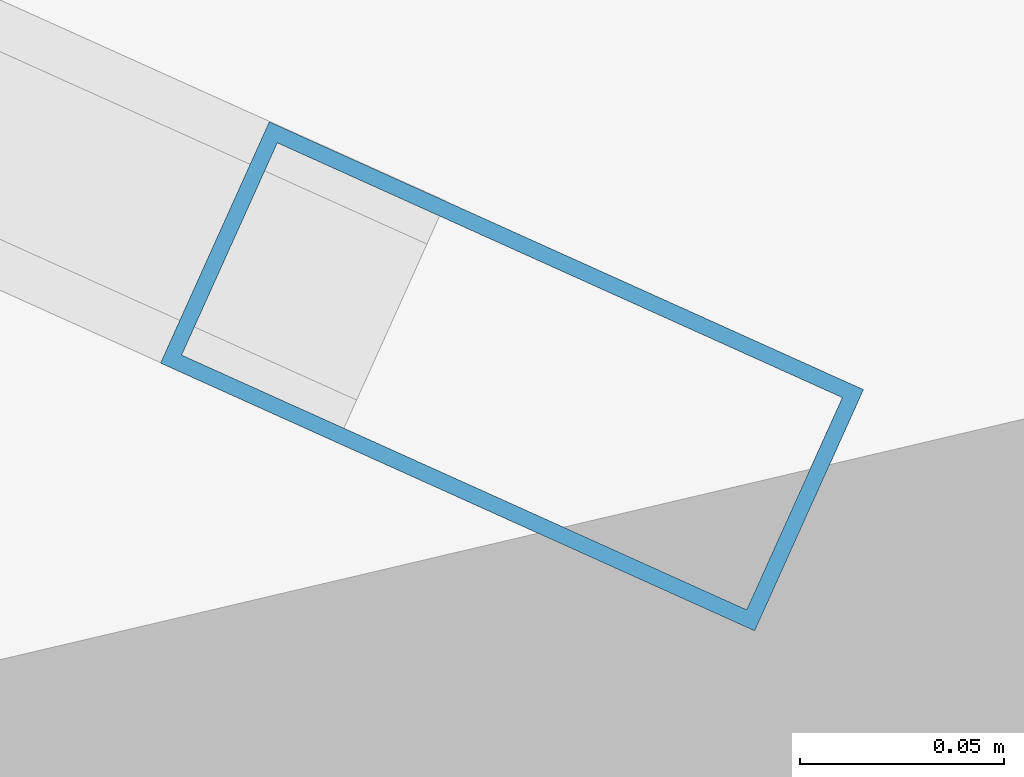
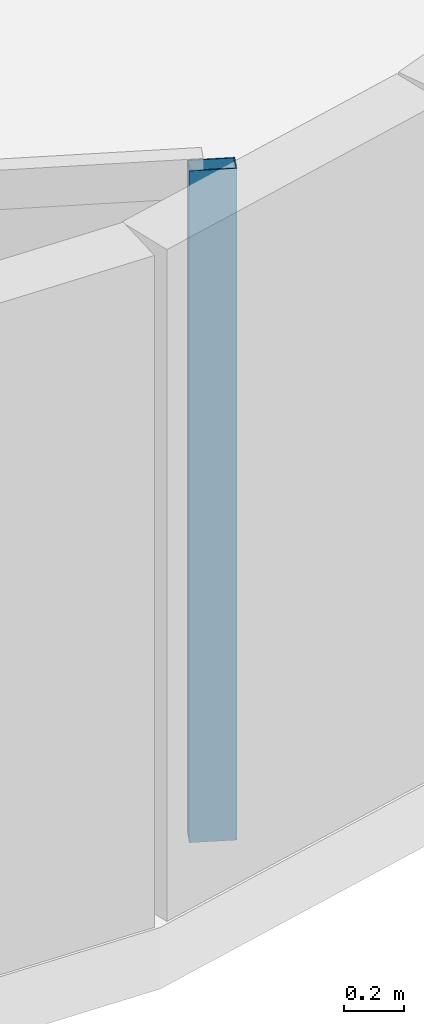
# One storey, part 5 of 24: 1 member, 1 element without a shape of its own.
"""IFC4 building model written with IfcOpenShell, lengths in metres."""

from ifc_helpers import new_model, si_unit, direction, frame, origin, origin_2d, place, context, subcontext, project, spatial, hollow_rectangle, extrude, material, layer, layer_set, material_profile, profile_set, type_object, element, aggregate, save


model = new_model("IFC4")

# Units and contexts
model_context = context("Model", 3, precision=1e-05, world=origin(), true_north=direction((0.0, 1.0)))
body_context = subcontext(model_context, "Body", "Model", "MODEL_VIEW")
ifc_project = project(units=[si_unit("LENGTHUNIT", "METRE"), si_unit("AREAUNIT", "SQUARE_METRE"), si_unit("VOLUMEUNIT", "CUBIC_METRE"), si_unit("PLANEANGLEUNIT", "RADIAN"), si_unit("MASSUNIT", "GRAM", prefix="KILO")], contexts=[model_context])

# Site, building, storey
site_placement = place(None, origin())
site = spatial("IfcSite", under=ifc_project, at=site_placement, CompositionType="ELEMENT")
building_placement = place(site_placement, origin())
building = spatial("IfcBuilding", under=site, at=building_placement, Name="Varnelok Gate Tower", CompositionType="ELEMENT")
storey_placement = place(building_placement, frame((0.0, 0.0, 242.300048828125)))
storey = spatial("IfcBuildingStorey", under=building, at=storey_placement, Name="L62", CompositionType="ELEMENT", Elevation=242.300048828125)

# Curtain wall, member
ifc_material = material(Name="Anodized Aluminum Alloy 6063-T6", Category="aluminium")
ifc_layer = layer(ifc_material, 0.179931640625)
ifc_layer_set = layer_set([ifc_layer], Name="Anodized Aluminum Alloy 6063-T6")
curtain_wall_type = type_object("IfcCurtainWallType", Name="CW5-WINDCORNER-GLAZ", PredefinedType="USERDEFINED", material=ifc_layer_set)
curtain_wall_placement = place(storey_placement, origin())
curtain_wall = element("IfcCurtainWall", 1, at=curtain_wall_placement, inside=storey, type_object=curtain_wall_type, Name="L62 Wind-Shaped Corner Curtain Wall SW", ObjectType="STRUCTURAL GLAZING", PredefinedType="USERDEFINED")
ifc_material_profile = material_profile(ifc_material, hollow_rectangle(XDim=0.06494140625, YDim=0.159912109375, WallThickness=0.00390625, at=origin_2d()), Name="ALU160X65X4")
ifc_profile_set = profile_set([ifc_material_profile], Name="Anodized Aluminum Alloy 6063-T6")
member_type = type_object("IfcMemberType", Name="CW-MULL-160", PredefinedType="MULLION", material=ifc_profile_set)
member_placement = place(storey_placement, frame((19.35888671875, -3.839599609375, 0.0), z_axis=(0.0, 0.0, 1.0), x_axis=(0.410939058285, 0.911662816164, 0.0)))
member = element("IfcMember", 2, at=member_placement, type_object=member_type, Name="CW5 mullion 2", PredefinedType="MULLION", context=body_context, shape_type="SweptSolid", body=[
    extrude(hollow_rectangle(XDim=0.06494140625, YDim=0.159912109375, WallThickness=0.00390625, at=origin_2d()), origin(), (0.0, 0.0, 1.0), 2.72998046875),
])
aggregate(curtain_wall, [member])

save(model, "model.ifc")
